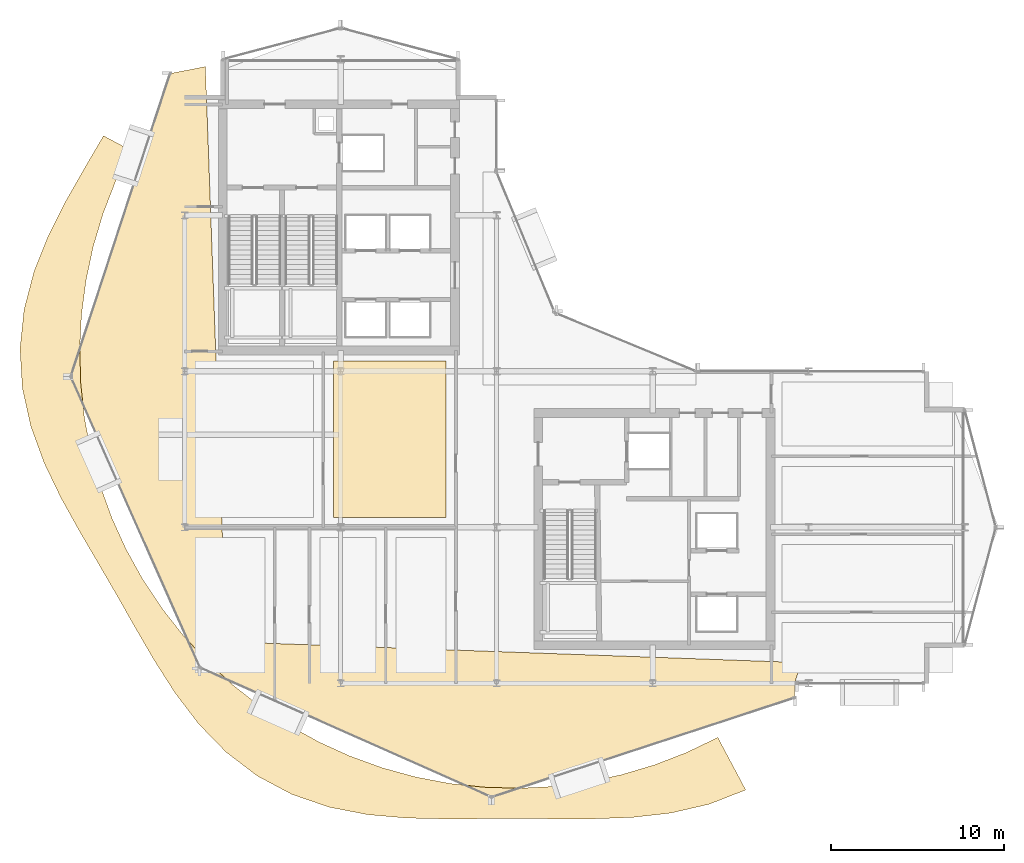
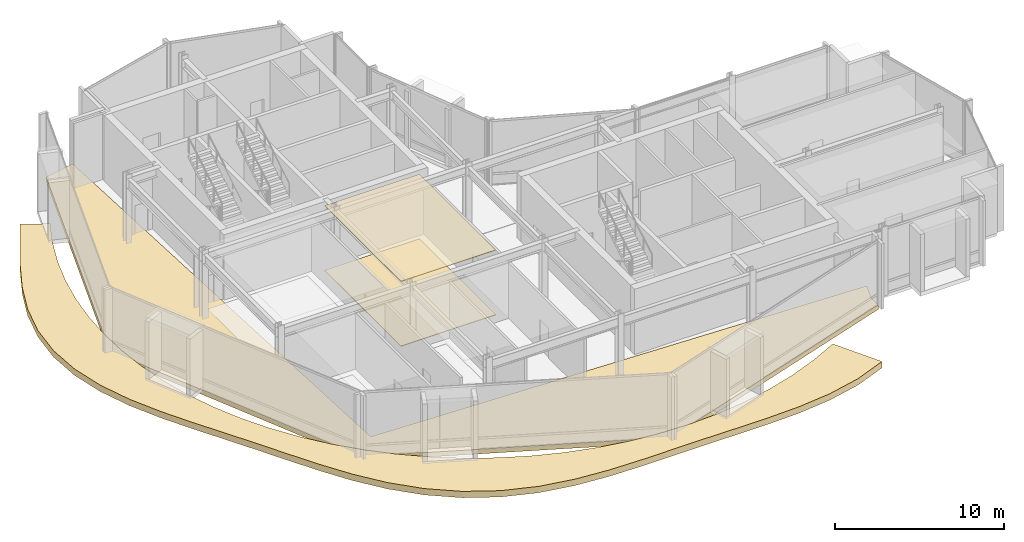
# One storey, part 25 of 28: 4 coverings.
"""IFC4 building model written with IfcOpenShell, lengths in metres."""

from ifc_helpers import new_model, si_unit, direction, frame, origin, place, context, subcontext, project, spatial, polyline, outline, extrude, material, layer, layer_set, type_object, element, save


model = new_model("IFC4")

# Units and contexts
model_context = context("Model", 3, precision=1e-05, world=origin(), true_north=direction((0.0, 1.0)))
body_context = subcontext(model_context, "Body", "Model", "MODEL_VIEW")
ifc_project = project(units=[si_unit("LENGTHUNIT", "METRE"), si_unit("AREAUNIT", "SQUARE_METRE"), si_unit("VOLUMEUNIT", "CUBIC_METRE"), si_unit("PLANEANGLEUNIT", "RADIAN"), si_unit("MASSUNIT", "GRAM", prefix="KILO")], contexts=[model_context])

# Site, building, storey
site_placement = place(None, origin())
site = spatial("IfcSite", under=ifc_project, at=site_placement, CompositionType="ELEMENT")
building_placement = place(site_placement, origin())
building = spatial("IfcBuilding", under=site, at=building_placement, Name="Solvaryn Broadcast Tower", CompositionType="ELEMENT")
storey_placement = place(building_placement, frame((0.0, 0.0, 201.199951171875)))
storey = spatial("IfcBuildingStorey", under=building, at=storey_placement, Name="L50", CompositionType="ELEMENT", Elevation=201.199951171875)

# Coverings
ifc_material_1 = material(Name="Micro-Perforated Acoustic Gypsum Ceiling", Category="concrete")
ifc_layer_1 = layer(ifc_material_1, 0.0400390625)
ifc_layer_set_1 = layer_set([ifc_layer_1], Name="CV-CEIL-ACOUSTIC")
covering_type_1 = type_object("IfcCoveringType", Name="CV-CEIL-ACOUSTIC", PredefinedType="CEILING", material=ifc_layer_set_1)
covering_1_placement = place(storey_placement, frame((0.0, 0.0, 4.679931640625)))
element("IfcCovering", 1, at=covering_1_placement, inside=storey, type_object=covering_type_1, Name="L50 Room Acoustic Ceiling 2", PredefinedType="CEILING", context=body_context, shape_type="SweptSolid", body=[
    extrude(outline(polyline([(17.60009765625, 18.570068359375), (24.080078125, 18.570068359375), (24.080078125, 27.60009765625), (17.60009765625, 27.60009765625), (17.60009765625, 18.570068359375)])), origin(), (0.0, 0.0, 1.0), 0.0400390625),
])
ifc_material_2 = material(Name="Newsroom Raised Data Access Flooring", Category="steel")
ifc_layer_2 = layer(ifc_material_2, 0.050048828125)
ifc_layer_set_2 = layer_set([ifc_layer_2], Name="CV-FLOOR-RAISED")
covering_type_2 = type_object("IfcCoveringType", Name="CV-FLOOR-RAISED", PredefinedType="FLOORING", material=ifc_layer_set_2)
covering_2_placement = place(storey_placement, origin())
element("IfcCovering", 2, at=covering_2_placement, inside=storey, type_object=covering_type_2, Name="L50 Room Acoustic Floor Finish 2", PredefinedType="FLOORING", context=body_context, shape_type="SweptSolid", body=[
    extrude(outline(polyline([(17.60009765625, 18.570068359375), (24.080078125, 18.570068359375), (24.080078125, 27.60009765625), (17.60009765625, 27.60009765625), (17.60009765625, 18.570068359375)])), origin(), (0.0, 0.0, 1.0), 0.050048828125),
])
ifc_material_3 = material(Name="Sculpted Architectural Terracotta Wave Fascia", Category="masonry")
ifc_layer_3 = layer(ifc_material_3, 0.340087890625)
ifc_layer_set_3 = layer_set([ifc_layer_3], Name="CV-WAVE-TRAY")
covering_type_3 = type_object("IfcCoveringType", Name="CV-WAVE-TRAY", PredefinedType="CLADDING", material=ifc_layer_set_3)
covering_3_placement = place(storey_placement, frame((0.0, 0.0, -0.300048828125)))
element("IfcCovering", 3, at=covering_3_placement, inside=storey, type_object=covering_type_3, Name="L50 Stepped Cylindrical Drum Floor Apron", PredefinedType="CLADDING", context=body_context, shape_type="SweptSolid", body=[
    extrude(outline(polyline([(10.199951171875, 44.58203125), (8.1630859375, 44.181884765625), (2.43310546875, 26.7060546875), (9.89794921875, 9.89794921875), (26.7060546875, 2.43310546875), (44.181884765625, 8.1630859375), (44.181884765625, 9.0), (44.58203125, 10.199951171875), (11.39990234375, 11.39990234375), (10.199951171875, 44.58203125)])), origin(), (0.0, 0.0, 1.0), 0.330078125),
])
covering_4_placement = place(storey_placement, frame((0.0, 0.0, -0.320068359375)))
element("IfcCovering", 4, at=covering_4_placement, inside=storey, type_object=covering_type_3, Name="L50 Stepped Cylindrical Drum Wave Ring Terrace", PredefinedType="CLADDING", context=body_context, shape_type="SweptSolid", body=[
    extrude(outline(polyline([(4.321044921875, 40.591064453125), (3.23388671875, 38.736083984375), (2.154052734375, 36.8359375), (1.14892578125, 34.85009765625), (0.31201171875, 32.758056640625), (-0.260986328125, 30.56591796875), (-0.49609375, 28.31103515625), (-0.362060546875, 26.048095703125), (0.125, 23.833984375), (0.89892578125, 21.7119140625), (1.867919921875, 19.697998046875), (2.93505859375, 17.778076171875), (4.02490234375, 15.9150390625), (5.096923828125, 14.068115234375), (6.157958984375, 12.202880859375), (7.2529296875, 10.319091796875), (8.447998046875, 8.447998046875), (9.81201171875, 6.657958984375), (11.389892578125, 5.032958984375), (13.193115234375, 3.657958984375), (15.194091796875, 2.593994140625), (17.339111328125, 1.85888671875), (19.55810546875, 1.427978515625), (21.7890625, 1.23193359375), (23.991943359375, 1.18310546875), (26.155029296875, 1.19189453125), (28.2919921875, 1.199951171875), (30.43408203125, 1.18798828125), (32.60693359375, 1.18701171875), (34.820068359375, 1.26708984375), (37.052978515625, 1.51904296875), (39.259033203125, 2.028076171875), (41.37109375, 2.85205078125), (39.760009765625, 5.882080078125), (37.964111328125, 5.01708984375), (36.10400390625, 4.297119140625), (34.193115234375, 3.72802734375), (32.241943359375, 3.31201171875), (30.264892578125, 3.052978515625), (28.27294921875, 2.950927734375), (26.280029296875, 3.009033203125), (24.297119140625, 3.22509765625), (22.337890625, 3.597900390625), (20.4150390625, 4.1259765625), (18.5400390625, 4.804931640625), (16.72509765625, 5.631103515625), (14.98095703125, 6.59912109375), (13.320068359375, 7.701904296875), (11.751953125, 8.93408203125), (10.287109375, 10.287109375), (8.93408203125, 11.751953125), (7.701904296875, 13.320068359375), (6.59912109375, 14.98095703125), (5.631103515625, 16.72509765625), (4.804931640625, 18.5400390625), (4.1259765625, 20.4150390625), (3.597900390625, 22.337890625), (3.22509765625, 24.297119140625), (3.009033203125, 26.280029296875), (2.950927734375, 28.27294921875), (3.052978515625, 30.264892578125), (3.31201171875, 32.241943359375), (3.72802734375, 34.193115234375), (4.297119140625, 36.10400390625), (5.01708984375, 37.964111328125), (5.882080078125, 39.760009765625), (4.321044921875, 40.591064453125)])), origin(), (0.0, 0.0, 1.0), 0.460205078125),
])

save(model, "model.ifc")
